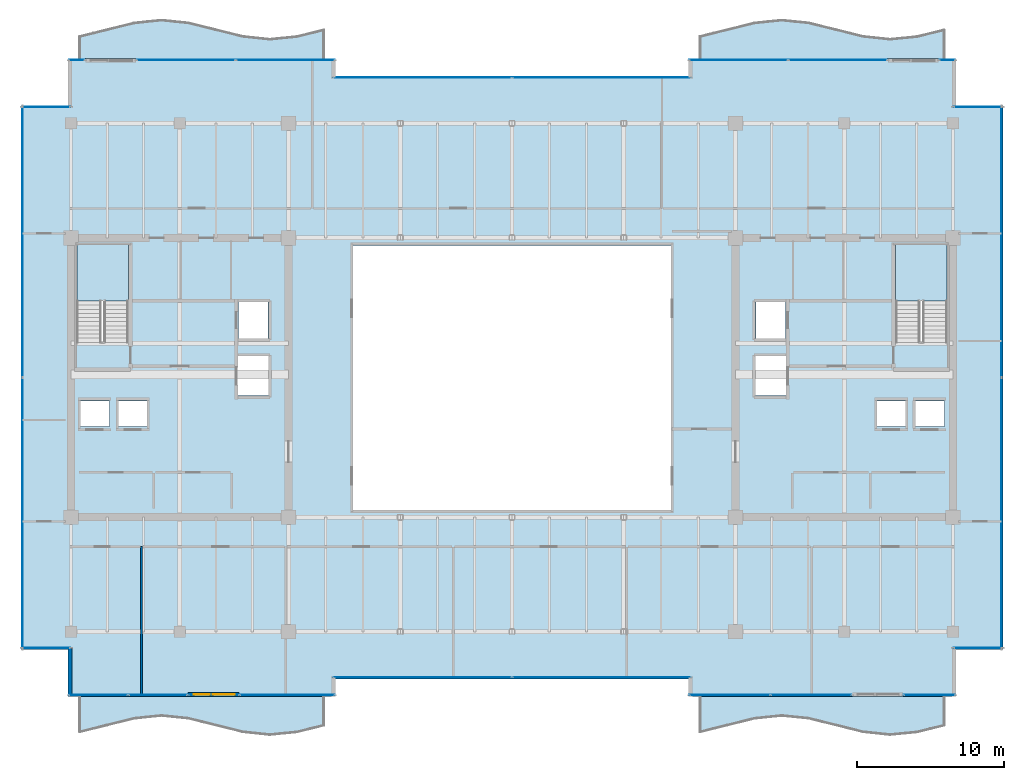
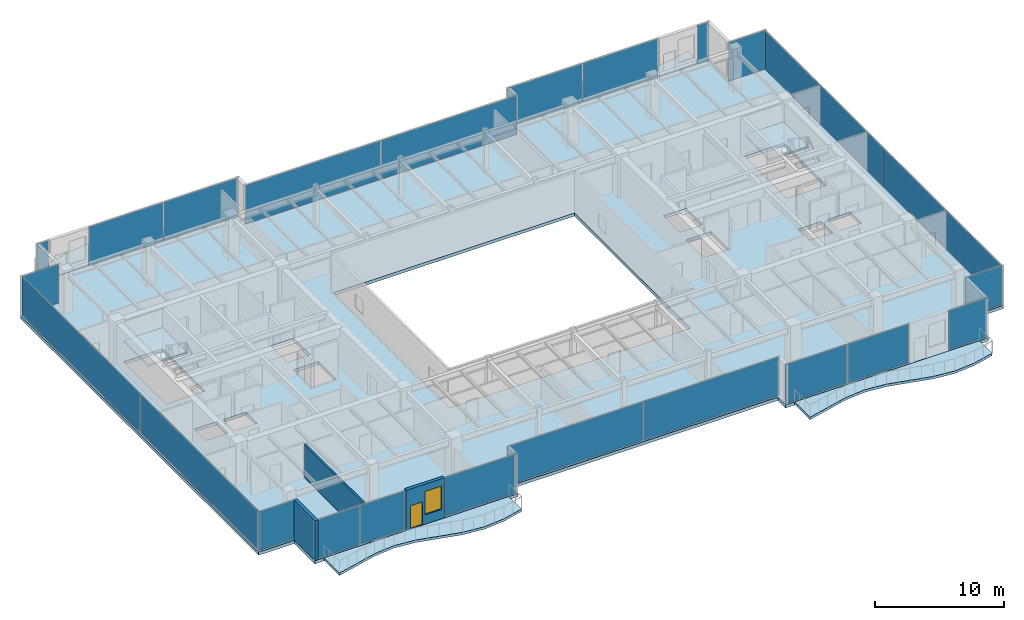
# One storey, part 27 of 34: 24 plates, 7 slabs, 3 walls, 1 door, 1 window, 2 openings, 18 elements without a shape of their own.
"""IFC4 building model written with IfcOpenShell, lengths in metres."""

from ifc_helpers import new_model, si_unit, direction, frame, frame_2d, origin, origin_2d, place, context, subcontext, project, spatial, polyline, rectangle, outline, extrude, source, transform, mapped, material, layer, layer_set, type_object, type_shapes, element, fill, aggregate, save


model = new_model("IFC4")

# Units and contexts
model_context = context("Model", 3, precision=1e-05, world=origin(), true_north=direction((0.0, 1.0)))
body_context = subcontext(model_context, "Body", "Model", "MODEL_VIEW")
ifc_project = project(units=[si_unit("LENGTHUNIT", "METRE"), si_unit("AREAUNIT", "SQUARE_METRE"), si_unit("VOLUMEUNIT", "CUBIC_METRE"), si_unit("PLANEANGLEUNIT", "RADIAN"), si_unit("MASSUNIT", "GRAM", prefix="KILO")], contexts=[model_context])

# Site, building, storey
site_placement = place(None, origin())
site = spatial("IfcSite", under=ifc_project, at=site_placement, CompositionType="ELEMENT")
building_placement = place(site_placement, origin())
building = spatial("IfcBuilding", under=site, at=building_placement, Name="Haelvirn Gate Laboratories", CompositionType="ELEMENT")
storey_placement = place(building_placement, frame((0.0, 0.0, 205.5)))
storey = spatial("IfcBuildingStorey", under=building, at=storey_placement, Name="L49", CompositionType="ELEMENT", Elevation=205.5)

# Stair, slab
ifc_material_1 = material(Name="Concrete C40/50", Category="concrete")
stair_type = type_object("IfcStairType", Name="ST-DOG-1650-R22", PredefinedType="HALF_TURN_STAIR", material=ifc_material_1)
stair_1_placement = place(storey_placement, origin())
stair_1 = element("IfcStair", 1, at=stair_1_placement, inside=storey, type_object=stair_type, Name="L49 Escape Stair ST1", PredefinedType="HALF_TURN_STAIR")
ifc_layer_1 = layer(ifc_material_1, 0.199951171875, Name="SL-STAIR-LND")
ifc_layer_set_1 = layer_set([ifc_layer_1], Name="Concrete C40/50")
slab_type_1 = type_object("IfcSlabType", Name="SL-STAIR-LND", PredefinedType="LANDING", material=ifc_layer_set_1)
slab_1_placement = place(storey_placement, frame((0.0, 0.0, 1.85009765625)))
slab_1 = element("IfcSlab", 2, at=slab_1_placement, type_object=slab_type_1, Name="ST1 landing 1", PredefinedType="LANDING", context=body_context, shape_type="SweptSolid", body=[
    extrude(outline(polyline([(11.300048828125, 29.5), (11.300048828125, 33.35009765625), (7.800048828125, 33.35009765625), (7.800048828125, 29.5), (11.300048828125, 29.5)])), origin(), (0.0, 0.0, 1.0), 0.199951171875),
])
aggregate(stair_1, [slab_1])

stair_2_placement = place(storey_placement, origin())
stair_2 = element("IfcStair", 3, at=stair_2_placement, inside=storey, type_object=stair_type, Name="L49 Escape Stair ST2", PredefinedType="HALF_TURN_STAIR")
slab_2_placement = place(storey_placement, frame((0.0, 0.0, 1.85009765625)))
slab_2 = element("IfcSlab", 4, at=slab_2_placement, type_object=slab_type_1, Name="ST2 landing 1", PredefinedType="LANDING", context=body_context, shape_type="SweptSolid", body=[
    extrude(outline(polyline([(67.0, 29.5), (67.0, 33.35009765625), (63.5, 33.35009765625), (63.5, 29.5), (67.0, 29.5)])), origin(), (0.0, 0.0, 1.0), 0.199951171875),
])
aggregate(stair_2, [slab_2])

# Slabs
ifc_layer_2 = layer(ifc_material_1, 0.235107421875, Name="SL-WB-P4")
ifc_layer_set_2 = layer_set([ifc_layer_2], Name="Concrete C40/50")
slab_type_2 = type_object("IfcSlabType", Name="SL-WB-P4", PredefinedType="FLOOR", material=ifc_layer_set_2)
slab_3_placement = place(storey_placement, frame((0.0, 0.0, -0.235107421875)))
element("IfcSlab", 5, at=slab_3_placement, inside=storey, type_object=slab_type_2, Name="L49 Soft-Wave Balcony WL-S", PredefinedType="FLOOR", context=body_context, shape_type="SweptSolid", body=[
    extrude(outline(polyline([(8.0, 0.1904296875), (9.844482421875, 0.6484375), (11.68896484375, 1.107421875), (13.533203125, 1.300048828125), (15.377685546875, 1.114013671875), (17.22216796875, 0.65771484375), (19.066650390625, 0.197021484375), (20.9111328125, 0.0), (22.755615234375, 0.181884765625), (24.60009765625, 0.63623046875), (24.60009765625, 2.60009765625), (22.755615234375, 2.60009765625), (20.9111328125, 2.60009765625), (19.066650390625, 2.60009765625), (17.22216796875, 2.60009765625), (15.377685546875, 2.60009765625), (13.533203125, 2.60009765625), (11.68896484375, 2.60009765625), (9.844482421875, 2.60009765625), (8.0, 2.60009765625), (8.0, 0.1904296875)])), origin(), (0.0, 0.0, 1.0), 0.235107421875),
])
slab_4_placement = place(storey_placement, frame((0.0, 0.0, -0.235107421875)))
element("IfcSlab", 6, at=slab_4_placement, inside=storey, type_object=slab_type_2, Name="L49 Soft-Wave Balcony WL-N", PredefinedType="FLOOR", context=body_context, shape_type="SweptSolid", body=[
    extrude(outline(polyline([(8.0, 46.0), (9.844482421875, 46.0), (11.68896484375, 46.0), (13.533203125, 46.0), (15.377685546875, 46.0), (17.22216796875, 46.0), (19.066650390625, 46.0), (20.9111328125, 46.0), (22.755615234375, 46.0), (24.60009765625, 46.0), (24.60009765625, 47.936279296875), (22.755615234375, 47.481689453125), (20.9111328125, 47.300048828125), (19.066650390625, 47.496826171875), (17.22216796875, 47.957763671875), (15.377685546875, 48.413818359375), (13.533203125, 48.60009765625), (11.68896484375, 48.407470703125), (9.844482421875, 47.948486328125), (8.0, 47.490478515625), (8.0, 46.0)])), origin(), (0.0, 0.0, 1.0), 0.235107421875),
])
slab_5_placement = place(storey_placement, frame((0.0, 0.0, -0.235107421875)))
element("IfcSlab", 7, at=slab_5_placement, inside=storey, type_object=slab_type_2, Name="L49 Soft-Wave Balcony EL-S", PredefinedType="FLOOR", context=body_context, shape_type="SweptSolid", body=[
    extrude(outline(polyline([(50.199951171875, 0.1904296875), (52.04443359375, 0.6484375), (53.888916015625, 1.107421875), (55.7333984375, 1.300048828125), (57.577880859375, 1.114013671875), (59.422119140625, 0.65771484375), (61.2666015625, 0.197021484375), (63.111083984375, 0.0), (64.95556640625, 0.181884765625), (66.800048828125, 0.63623046875), (66.800048828125, 2.60009765625), (64.95556640625, 2.60009765625), (63.111083984375, 2.60009765625), (61.2666015625, 2.60009765625), (59.422119140625, 2.60009765625), (57.577880859375, 2.60009765625), (55.7333984375, 2.60009765625), (53.888916015625, 2.60009765625), (52.04443359375, 2.60009765625), (50.199951171875, 2.60009765625), (50.199951171875, 0.1904296875)])), origin(), (0.0, 0.0, 1.0), 0.235107421875),
])
slab_6_placement = place(storey_placement, frame((0.0, 0.0, -0.235107421875)))
element("IfcSlab", 8, at=slab_6_placement, inside=storey, type_object=slab_type_2, Name="L49 Soft-Wave Balcony EL-N", PredefinedType="FLOOR", context=body_context, shape_type="SweptSolid", body=[
    extrude(outline(polyline([(50.199951171875, 46.0), (52.04443359375, 46.0), (53.888916015625, 46.0), (55.7333984375, 46.0), (57.577880859375, 46.0), (59.422119140625, 46.0), (61.2666015625, 46.0), (63.111083984375, 46.0), (64.95556640625, 46.0), (66.800048828125, 46.0), (66.800048828125, 47.936279296875), (64.95556640625, 47.481689453125), (63.111083984375, 47.300048828125), (61.2666015625, 47.496826171875), (59.422119140625, 47.957763671875), (57.577880859375, 48.413818359375), (55.7333984375, 48.60009765625), (53.888916015625, 48.407470703125), (52.04443359375, 47.948486328125), (50.199951171875, 47.490478515625), (50.199951171875, 46.0)])), origin(), (0.0, 0.0, 1.0), 0.235107421875),
])
ifc_layer_3 = layer(ifc_material_1, 0.300048828125, Name="SL-Z3-300")
ifc_layer_set_3 = layer_set([ifc_layer_3], Name="Concrete C40/50")
slab_type_3 = type_object("IfcSlabType", Name="SL-Z3-300", PredefinedType="FLOOR", material=ifc_layer_set_3)
slab_7_placement = place(storey_placement, frame((0.0, 0.0, -0.300048828125)))
element("IfcSlab", 9, at=slab_7_placement, inside=storey, type_object=slab_type_3, Name="L49 Structural Slab MAIN", PredefinedType="FLOOR", context=body_context, shape_type="SweptSolid", body=[
    extrude(outline(polyline([(7.199951171875, 2.60009765625), (25.39990234375, 2.60009765625), (25.39990234375, 3.800048828125), (49.39990234375, 3.800048828125), (49.39990234375, 2.60009765625), (67.60009765625, 2.60009765625), (67.60009765625, 5.800048828125), (70.800048828125, 5.800048828125), (70.800048828125, 42.800048828125), (67.60009765625, 42.800048828125), (67.60009765625, 46.0), (49.39990234375, 46.0), (49.39990234375, 44.800048828125), (25.39990234375, 44.800048828125), (25.39990234375, 46.0), (7.199951171875, 46.0), (7.199951171875, 42.800048828125), (4.0, 42.800048828125), (4.0, 5.800048828125), (7.199951171875, 5.800048828125), (7.199951171875, 2.60009765625)]), holes=[polyline([(26.60009765625, 15.300048828125), (48.199951171875, 15.300048828125), (48.199951171875, 33.300048828125), (26.60009765625, 33.300048828125), (26.60009765625, 15.300048828125)]), polyline([(11.300048828125, 26.780029296875), (11.300048828125, 33.35009765625), (7.800048828125, 33.35009765625), (7.800048828125, 26.780029296875), (11.300048828125, 26.780029296875)]), polyline([(67.0, 26.780029296875), (67.0, 33.35009765625), (63.5, 33.35009765625), (63.5, 26.780029296875), (67.0, 26.780029296875)]), polyline([(7.989990234375, 20.969970703125), (10.010009765625, 20.969970703125), (10.010009765625, 22.7099609375), (7.989990234375, 22.7099609375), (7.989990234375, 20.969970703125)]), polyline([(10.590087890625, 20.969970703125), (12.610107421875, 20.969970703125), (12.610107421875, 22.7099609375), (10.590087890625, 22.7099609375), (10.590087890625, 20.969970703125)]), polyline([(18.7900390625, 26.969970703125), (20.81005859375, 26.969970703125), (20.81005859375, 29.510009765625), (18.7900390625, 29.510009765625), (18.7900390625, 26.969970703125)]), polyline([(18.68994140625, 23.070068359375), (20.909912109375, 23.070068359375), (20.909912109375, 25.81005859375), (18.68994140625, 25.81005859375), (18.68994140625, 23.070068359375)]), polyline([(64.7900390625, 20.969970703125), (66.81005859375, 20.969970703125), (66.81005859375, 22.7099609375), (64.7900390625, 22.7099609375), (64.7900390625, 20.969970703125)]), polyline([(62.18994140625, 20.969970703125), (64.2099609375, 20.969970703125), (64.2099609375, 22.7099609375), (62.18994140625, 22.7099609375), (62.18994140625, 20.969970703125)]), polyline([(53.989990234375, 26.969970703125), (56.010009765625, 26.969970703125), (56.010009765625, 29.510009765625), (53.989990234375, 29.510009765625), (53.989990234375, 26.969970703125)]), polyline([(53.889892578125, 23.070068359375), (56.110107421875, 23.070068359375), (56.110107421875, 25.81005859375), (53.889892578125, 25.81005859375), (53.889892578125, 23.070068359375)])]), origin(), (0.0, 0.0, 1.0), 0.300048828125),
])

# Curtain wall, plates
ifc_material_2 = material(Name="Anodised bronze unitised aluminium & triple low-E glass", Category="aluminium")
ifc_layer_4 = layer(ifc_material_2, 0.176025390625, Name="CW-SYS-4")
ifc_layer_set_4 = layer_set([ifc_layer_4], Name="Anodised bronze unitised aluminium & triple low-E glass")
curtain_wall_type_1 = type_object("IfcCurtainWallType", Name="CW-SYS-4", PredefinedType="NOTDEFINED", material=ifc_layer_set_4)
curtain_wall_1_placement = place(storey_placement, origin())
curtain_wall_1 = element("IfcCurtainWall", 10, at=curtain_wall_1_placement, inside=storey, type_object=curtain_wall_type_1, Name="L49 Unitised Curtain Wall CW-L49-P0-E02-1", PredefinedType="NOTDEFINED")
ifc_material_3 = material(Name="Acoustic laminated bronze triple IGU 36 mm", Category="glass")
ifc_layer_5 = layer(ifc_material_3, 0.035888671875, Name="CWP-IGU-36")
ifc_layer_set_5 = layer_set([ifc_layer_5], Name="Acoustic laminated bronze triple IGU 36 mm")
plate_type_1 = type_object("IfcPlateType", Name="CWP-IGU-36", PredefinedType="CURTAIN_PANEL", material=ifc_layer_set_5)
shared_shape_1 = source(origin(), body_context, "Body", "SweptSolid", [
    extrude(rectangle(XDim=12.135009765625, YDim=0.035888671875, at=origin_2d()), origin(), (0.0, 0.0, 1.0), 3.669921875),
])
plate_1_placement = place(storey_placement, frame((31.297607421875, 3.89990234375, 0.06494140625), z_axis=(0.0, 0.0, 1.0), x_axis=(1.0, 0.0, 0.0)))
plate_1 = element("IfcPlate", 11, at=plate_1_placement, type_object=plate_type_1, Name="CW4 panel 1.1", PredefinedType="CURTAIN_PANEL", context=body_context, shape_type="MappedRepresentation", body=[
    mapped(shared_shape_1, transform((0.0, 0.0, 0.0), scale=1.0)),
])
plate_2_placement = place(storey_placement, frame((43.50244140625, 3.89990234375, 0.06494140625), z_axis=(0.0, 0.0, 1.0), x_axis=(1.0, 0.0, 0.0)))
plate_2 = element("IfcPlate", 12, at=plate_2_placement, type_object=plate_type_1, Name="CW4 panel 2.1", PredefinedType="CURTAIN_PANEL", context=body_context, shape_type="MappedRepresentation", body=[
    mapped(shared_shape_1, transform((0.0, 0.0, 0.0), scale=1.0)),
])
aggregate(curtain_wall_1, [plate_1, plate_2])

curtain_wall_2_placement = place(storey_placement, origin())
curtain_wall_2 = element("IfcCurtainWall", 13, at=curtain_wall_2_placement, inside=storey, type_object=curtain_wall_type_1, Name="L49 Unitised Curtain Wall CW-L49-P0-E12-1", PredefinedType="NOTDEFINED")
plate_3_placement = place(storey_placement, frame((31.297607421875, 44.699951171875, 0.06494140625), z_axis=(0.0, 0.0, 1.0), x_axis=(1.0, 0.0, 0.0)))
plate_3 = element("IfcPlate", 14, at=plate_3_placement, type_object=plate_type_1, Name="CW4 panel 1.1", PredefinedType="CURTAIN_PANEL", context=body_context, shape_type="MappedRepresentation", body=[
    mapped(shared_shape_1, transform((0.0, 0.0, 0.0), scale=1.0)),
])
plate_4_placement = place(storey_placement, frame((43.50244140625, 44.699951171875, 0.06494140625), z_axis=(0.0, 0.0, 1.0), x_axis=(1.0, 0.0, 0.0)))
plate_4 = element("IfcPlate", 15, at=plate_4_placement, type_object=plate_type_1, Name="CW4 panel 2.1", PredefinedType="CURTAIN_PANEL", context=body_context, shape_type="MappedRepresentation", body=[
    mapped(shared_shape_1, transform((0.0, 0.0, 0.0), scale=1.0)),
])
aggregate(curtain_wall_2, [plate_3, plate_4])

# Curtain wall, plate
ifc_layer_6 = layer(ifc_material_2, 0.181884765625, Name="CW-SYS-5")
ifc_layer_set_6 = layer_set([ifc_layer_6], Name="Anodised bronze unitised aluminium & triple low-E glass")
curtain_wall_type_2 = type_object("IfcCurtainWallType", Name="CW-SYS-5", PredefinedType="NOTDEFINED", material=ifc_layer_set_6)
curtain_wall_3_placement = place(storey_placement, origin())
curtain_wall_3 = element("IfcCurtainWall", 16, at=curtain_wall_3_placement, inside=storey, type_object=curtain_wall_type_2, Name="L49 Unitised Curtain Wall CW-L49-P0-E06-1", PredefinedType="NOTDEFINED")
ifc_material_4 = material(Name="Clear low-iron notched-corner triple IGU 42 mm", Category="glass")
ifc_layer_7 = layer(ifc_material_4, 0.0419921875, Name="CWP-NTC-42")
ifc_layer_set_7 = layer_set([ifc_layer_7], Name="Clear low-iron notched-corner triple IGU 42 mm")
plate_type_2 = type_object("IfcPlateType", Name="CWP-NTC-42", PredefinedType="CURTAIN_PANEL", material=ifc_layer_set_7)
shared_shape_2 = source(origin(), body_context, "Body", "SweptSolid", [
    extrude(rectangle(XDim=3.280029296875, YDim=0.0419921875, at=origin_2d()), origin(), (0.0, 0.0, 1.0), 3.669921875),
])
type_shapes(plate_type_2, [shared_shape_2])
plate_5_placement = place(storey_placement, frame((69.080078125, 5.89990234375, 0.06494140625), z_axis=(0.0, 0.0, 1.0), x_axis=(1.0, 0.0, 0.0)))
plate_5 = element("IfcPlate", 17, at=plate_5_placement, type_object=plate_type_2, Name="CW5 panel 1.1", PredefinedType="CURTAIN_PANEL", context=body_context, shape_type="MappedRepresentation", body=[
    mapped(shared_shape_2, transform((0.0, 0.0, 0.0), scale=1.0)),
])
aggregate(curtain_wall_3, [plate_5])

curtain_wall_4_placement = place(storey_placement, origin())
curtain_wall_4 = element("IfcCurtainWall", 18, at=curtain_wall_4_placement, inside=storey, type_object=curtain_wall_type_2, Name="L49 Unitised Curtain Wall CW-L49-P0-E08-1", PredefinedType="NOTDEFINED")
plate_6_placement = place(storey_placement, frame((69.080078125, 42.699951171875, 0.06494140625), z_axis=(0.0, 0.0, 1.0), x_axis=(1.0, 0.0, 0.0)))
plate_6 = element("IfcPlate", 19, at=plate_6_placement, type_object=plate_type_2, Name="CW5 panel 1.1", PredefinedType="CURTAIN_PANEL", context=body_context, shape_type="MappedRepresentation", body=[
    mapped(shared_shape_2, transform((0.0, 0.0, 0.0), scale=1.0)),
])
aggregate(curtain_wall_4, [plate_6])

curtain_wall_5_placement = place(storey_placement, origin())
curtain_wall_5 = element("IfcCurtainWall", 20, at=curtain_wall_5_placement, inside=storey, type_object=curtain_wall_type_2, Name="L49 Unitised Curtain Wall CW-L49-P0-E16-1", PredefinedType="NOTDEFINED")
plate_7_placement = place(storey_placement, frame((5.719970703125, 42.699951171875, 0.06494140625), z_axis=(0.0, 0.0, 1.0), x_axis=(1.0, 0.0, 0.0)))
plate_7 = element("IfcPlate", 21, at=plate_7_placement, type_object=plate_type_2, Name="CW5 panel 1.1", PredefinedType="CURTAIN_PANEL", context=body_context, shape_type="MappedRepresentation", body=[
    mapped(shared_shape_2, transform((0.0, 0.0, 0.0), scale=1.0)),
])
aggregate(curtain_wall_5, [plate_7])

curtain_wall_6_placement = place(storey_placement, origin())
curtain_wall_6 = element("IfcCurtainWall", 22, at=curtain_wall_6_placement, inside=storey, type_object=curtain_wall_type_2, Name="L49 Unitised Curtain Wall CW-L49-P0-E18-1", PredefinedType="NOTDEFINED")
plate_8_placement = place(storey_placement, frame((5.719970703125, 5.89990234375, 0.06494140625), z_axis=(0.0, 0.0, 1.0), x_axis=(1.0, 0.0, 0.0)))
plate_8 = element("IfcPlate", 23, at=plate_8_placement, type_object=plate_type_2, Name="CW5 panel 1.1", PredefinedType="CURTAIN_PANEL", context=body_context, shape_type="MappedRepresentation", body=[
    mapped(shared_shape_2, transform((0.0, 0.0, 0.0), scale=1.0)),
])
aggregate(curtain_wall_6, [plate_8])

# Curtain wall, plates
curtain_wall_7_placement = place(storey_placement, origin())
curtain_wall_7 = element("IfcCurtainWall", 24, at=curtain_wall_7_placement, inside=storey, type_object=curtain_wall_type_1, Name="L49 Unitised Curtain Wall CW-L49-P0-E07", PredefinedType="NOTDEFINED")
shared_shape_3 = source(origin(), body_context, "Body", "SweptSolid", [
    extrude(rectangle(XDim=18.39501953125, YDim=0.035888671875, at=origin_2d()), origin(), (0.0, 0.0, 1.0), 3.669921875),
])
plate_9_placement = place(storey_placement, frame((70.699951171875, 15.0673828125, 0.06494140625), z_axis=(0.0, 0.0, 1.0), x_axis=(0.0, 1.0, 0.0)))
plate_9 = element("IfcPlate", 25, at=plate_9_placement, type_object=plate_type_1, Name="CW4 panel 1.1", PredefinedType="CURTAIN_PANEL", context=body_context, shape_type="MappedRepresentation", body=[
    mapped(shared_shape_3, transform((0.0, 0.0, 0.0), scale=1.0)),
])
plate_10_placement = place(storey_placement, frame((70.699951171875, 33.532470703125, 0.06494140625), z_axis=(0.0, 0.0, 1.0), x_axis=(0.0, 1.0, 0.0)))
plate_10 = element("IfcPlate", 26, at=plate_10_placement, type_object=plate_type_1, Name="CW4 panel 2.1", PredefinedType="CURTAIN_PANEL", context=body_context, shape_type="MappedRepresentation", body=[
    mapped(shared_shape_3, transform((0.0, 0.0, 0.0), scale=1.0)),
])
aggregate(curtain_wall_7, [plate_9, plate_10])

curtain_wall_8_placement = place(storey_placement, origin())
curtain_wall_8 = element("IfcCurtainWall", 27, at=curtain_wall_8_placement, inside=storey, type_object=curtain_wall_type_1, Name="L49 Unitised Curtain Wall CW-L49-P0-E17", PredefinedType="NOTDEFINED")
plate_11_placement = place(storey_placement, frame((4.10009765625, 33.532470703125, 0.06494140625), z_axis=(0.0, 0.0, 1.0), x_axis=(0.0, -1.0, 0.0)))
plate_11 = element("IfcPlate", 28, at=plate_11_placement, type_object=plate_type_1, Name="CW4 panel 1.1", PredefinedType="CURTAIN_PANEL", context=body_context, shape_type="MappedRepresentation", body=[
    mapped(shared_shape_3, transform((0.0, 0.0, 0.0), scale=1.0)),
])
plate_12_placement = place(storey_placement, frame((4.10009765625, 15.0673828125, 0.06494140625), z_axis=(0.0, 0.0, 1.0), x_axis=(0.0, -1.0, 0.0)))
plate_12 = element("IfcPlate", 29, at=plate_12_placement, type_object=plate_type_1, Name="CW4 panel 2.1", PredefinedType="CURTAIN_PANEL", context=body_context, shape_type="MappedRepresentation", body=[
    mapped(shared_shape_3, transform((0.0, 0.0, 0.0), scale=1.0)),
])
aggregate(curtain_wall_8, [plate_11, plate_12])

curtain_wall_9_placement = place(storey_placement, origin())
curtain_wall_9 = element("IfcCurtainWall", 30, at=curtain_wall_9_placement, inside=storey, type_object=curtain_wall_type_1, Name="L49 Unitised Curtain Wall CW-L49-P0-E00-1", PredefinedType="NOTDEFINED")
shared_shape_4 = source(origin(), body_context, "Body", "SweptSolid", [
    extrude(rectangle(XDim=3.985107421875, YDim=0.035888671875, at=origin_2d()), origin(), (0.0, 0.0, 1.0), 3.669921875),
])
plate_13_placement = place(storey_placement, frame((9.262451171875, 2.699951171875, 0.06494140625), z_axis=(0.0, 0.0, 1.0), x_axis=(1.0, 0.0, 0.0)))
plate_13 = element("IfcPlate", 31, at=plate_13_placement, type_object=plate_type_1, Name="CW4 panel 1.1", PredefinedType="CURTAIN_PANEL", context=body_context, shape_type="MappedRepresentation", body=[
    mapped(shared_shape_4, transform((0.0, 0.0, 0.0), scale=1.0)),
])
plate_14_placement = place(storey_placement, frame((13.3173828125, 2.699951171875, 0.06494140625), z_axis=(0.0, 0.0, 1.0), x_axis=(1.0, 0.0, 0.0)))
plate_14 = element("IfcPlate", 32, at=plate_14_placement, type_object=plate_type_1, Name="CW4 panel 2.1", PredefinedType="CURTAIN_PANEL", context=body_context, shape_type="MappedRepresentation", body=[
    mapped(shared_shape_4, transform((0.0, 0.0, 0.0), scale=1.0)),
])
aggregate(curtain_wall_9, [plate_13, plate_14])

# Curtain wall, plate
curtain_wall_10_placement = place(storey_placement, origin())
curtain_wall_10 = element("IfcCurtainWall", 33, at=curtain_wall_10_placement, inside=storey, type_object=curtain_wall_type_1, Name="L49 Unitised Curtain Wall CW-L49-P0-E00-2", PredefinedType="NOTDEFINED")
shared_shape_5 = source(origin(), body_context, "Body", "SweptSolid", [
    extrude(rectangle(XDim=6.43994140625, YDim=0.035888671875, at=origin_2d()), origin(), (0.0, 0.0, 1.0), 3.669921875),
])
plate_15_placement = place(storey_placement, frame((22.110107421875, 2.699951171875, 0.06494140625), z_axis=(0.0, 0.0, 1.0), x_axis=(1.0, 0.0, 0.0)))
plate_15 = element("IfcPlate", 34, at=plate_15_placement, type_object=plate_type_1, Name="CW4 panel 1.1", PredefinedType="CURTAIN_PANEL", context=body_context, shape_type="MappedRepresentation", body=[
    mapped(shared_shape_5, transform((0.0, 0.0, 0.0), scale=1.0)),
])
aggregate(curtain_wall_10, [plate_15])

# Curtain wall, plates
curtain_wall_11_placement = place(storey_placement, origin())
curtain_wall_11 = element("IfcCurtainWall", 35, at=curtain_wall_11_placement, inside=storey, type_object=curtain_wall_type_1, Name="L49 Unitised Curtain Wall CW-L49-P0-E04-1", PredefinedType="NOTDEFINED")
shared_shape_6 = source(origin(), body_context, "Body", "SweptSolid", [
    extrude(rectangle(XDim=5.472412109375, YDim=0.035888671875, at=origin_2d()), origin(), (0.0, 0.0, 1.0), 3.669921875),
])
plate_16_placement = place(storey_placement, frame((52.206298828125, 2.699951171875, 0.06494140625), z_axis=(0.0, 0.0, 1.0), x_axis=(1.0, 0.0, 0.0)))
plate_16 = element("IfcPlate", 36, at=plate_16_placement, type_object=plate_type_1, Name="CW4 panel 1.1", PredefinedType="CURTAIN_PANEL", context=body_context, shape_type="MappedRepresentation", body=[
    mapped(shared_shape_6, transform((0.0, 0.0, 0.0), scale=1.0)),
])
plate_17_placement = place(storey_placement, frame((57.748779296875, 2.699951171875, 0.06494140625), z_axis=(0.0, 0.0, 1.0), x_axis=(1.0, 0.0, 0.0)))
plate_17 = element("IfcPlate", 37, at=plate_17_placement, type_object=plate_type_1, Name="CW4 panel 2.1", PredefinedType="CURTAIN_PANEL", context=body_context, shape_type="MappedRepresentation", body=[
    mapped(shared_shape_6, transform((0.0, 0.0, 0.0), scale=1.0)),
])
aggregate(curtain_wall_11, [plate_16, plate_17])

# Curtain wall, plate
curtain_wall_12_placement = place(storey_placement, origin())
curtain_wall_12 = element("IfcCurtainWall", 38, at=curtain_wall_12_placement, inside=storey, type_object=curtain_wall_type_1, Name="L49 Unitised Curtain Wall CW-L49-P0-E04-2", PredefinedType="NOTDEFINED")
shared_shape_7 = source(origin(), body_context, "Body", "SweptSolid", [
    extrude(rectangle(XDim=3.465087890625, YDim=0.035888671875, at=origin_2d()), origin(), (0.0, 0.0, 1.0), 3.669921875),
])
plate_18_placement = place(storey_placement, frame((65.797607421875, 2.699951171875, 0.06494140625), z_axis=(0.0, 0.0, 1.0), x_axis=(1.0, 0.0, 0.0)))
plate_18 = element("IfcPlate", 39, at=plate_18_placement, type_object=plate_type_1, Name="CW4 panel 1.1", PredefinedType="CURTAIN_PANEL", context=body_context, shape_type="MappedRepresentation", body=[
    mapped(shared_shape_7, transform((0.0, 0.0, 0.0), scale=1.0)),
])
aggregate(curtain_wall_12, [plate_18])

# Curtain wall, plates
curtain_wall_13_placement = place(storey_placement, origin())
curtain_wall_13 = element("IfcCurtainWall", 40, at=curtain_wall_13_placement, inside=storey, type_object=curtain_wall_type_1, Name="L49 Unitised Curtain Wall CW-L49-P0-E10-1", PredefinedType="NOTDEFINED")
shared_shape_8 = source(origin(), body_context, "Body", "SweptSolid", [
    extrude(rectangle(XDim=6.68505859375, YDim=0.035888671875, at=origin_2d()), origin(), (0.0, 0.0, 1.0), 3.669921875),
])
plate_19_placement = place(storey_placement, frame((52.8125, 45.89990234375, 0.06494140625), z_axis=(0.0, 0.0, 1.0), x_axis=(1.0, 0.0, 0.0)))
plate_19 = element("IfcPlate", 41, at=plate_19_placement, type_object=plate_type_1, Name="CW4 panel 1.1", PredefinedType="CURTAIN_PANEL", context=body_context, shape_type="MappedRepresentation", body=[
    mapped(shared_shape_8, transform((0.0, 0.0, 0.0), scale=1.0)),
])
plate_20_placement = place(storey_placement, frame((59.5673828125, 45.89990234375, 0.06494140625), z_axis=(0.0, 0.0, 1.0), x_axis=(1.0, 0.0, 0.0)))
plate_20 = element("IfcPlate", 42, at=plate_20_placement, type_object=plate_type_1, Name="CW4 panel 2.1", PredefinedType="CURTAIN_PANEL", context=body_context, shape_type="MappedRepresentation", body=[
    mapped(shared_shape_8, transform((0.0, 0.0, 0.0), scale=1.0)),
])
aggregate(curtain_wall_13, [plate_19, plate_20])

curtain_wall_14_placement = place(storey_placement, origin())
curtain_wall_14 = element("IfcCurtainWall", 43, at=curtain_wall_14_placement, inside=storey, type_object=curtain_wall_type_1, Name="L49 Unitised Curtain Wall CW-L49-P0-E14-2", PredefinedType="NOTDEFINED")
plate_21_placement = place(storey_placement, frame((15.232421875, 45.89990234375, 0.06494140625), z_axis=(0.0, 0.0, 1.0), x_axis=(1.0, 0.0, 0.0)))
plate_21 = element("IfcPlate", 44, at=plate_21_placement, type_object=plate_type_1, Name="CW4 panel 1.1", PredefinedType="CURTAIN_PANEL", context=body_context, shape_type="MappedRepresentation", body=[
    mapped(shared_shape_8, transform((0.0, 0.0, 0.0), scale=1.0)),
])
plate_22_placement = place(storey_placement, frame((21.987548828125, 45.89990234375, 0.06494140625), z_axis=(0.0, 0.0, 1.0), x_axis=(1.0, 0.0, 0.0)))
plate_22 = element("IfcPlate", 45, at=plate_22_placement, type_object=plate_type_1, Name="CW4 panel 2.1", PredefinedType="CURTAIN_PANEL", context=body_context, shape_type="MappedRepresentation", body=[
    mapped(shared_shape_8, transform((0.0, 0.0, 0.0), scale=1.0)),
])
aggregate(curtain_wall_14, [plate_21, plate_22])

# Curtain wall, plate
curtain_wall_15_placement = place(storey_placement, origin())
curtain_wall_15 = element("IfcCurtainWall", 46, at=curtain_wall_15_placement, inside=storey, type_object=curtain_wall_type_1, Name="L49 Unitised Curtain Wall CW-L49-P0-E10-2", PredefinedType="NOTDEFINED")
shared_shape_9 = source(origin(), body_context, "Body", "SweptSolid", [
    extrude(rectangle(XDim=1.0400390625, YDim=0.035888671875, at=origin_2d()), origin(), (0.0, 0.0, 1.0), 3.669921875),
])
type_shapes(plate_type_1, [shared_shape_1, shared_shape_3, shared_shape_4, shared_shape_5, shared_shape_6, shared_shape_7, shared_shape_8, shared_shape_9])
plate_23_placement = place(storey_placement, frame((67.010009765625, 45.89990234375, 0.06494140625), z_axis=(0.0, 0.0, 1.0), x_axis=(1.0, 0.0, 0.0)))
plate_23 = element("IfcPlate", 47, at=plate_23_placement, type_object=plate_type_1, Name="CW4 panel 1.1", PredefinedType="CURTAIN_PANEL", context=body_context, shape_type="MappedRepresentation", body=[
    mapped(shared_shape_9, transform((0.0, 0.0, 0.0), scale=1.0)),
])
aggregate(curtain_wall_15, [plate_23])

curtain_wall_16_placement = place(storey_placement, origin())
curtain_wall_16 = element("IfcCurtainWall", 48, at=curtain_wall_16_placement, inside=storey, type_object=curtain_wall_type_1, Name="L49 Unitised Curtain Wall CW-L49-P0-E14-1", PredefinedType="NOTDEFINED")
plate_24_placement = place(storey_placement, frame((7.7900390625, 45.89990234375, 0.06494140625), z_axis=(0.0, 0.0, 1.0), x_axis=(1.0, 0.0, 0.0)))
plate_24 = element("IfcPlate", 49, at=plate_24_placement, type_object=plate_type_1, Name="CW4 panel 1.1", PredefinedType="CURTAIN_PANEL", context=body_context, shape_type="MappedRepresentation", body=[
    mapped(shared_shape_9, transform((0.0, 0.0, 0.0), scale=1.0)),
])
aggregate(curtain_wall_16, [plate_24])

# Wall, openings, door, window
ifc_material_5 = material(Name="Thermally-broken bronze aluminium rainscreen & mineral wool", Category="aluminium")
ifc_layer_8 = layer(ifc_material_5, 0.280029296875, Name="EW-TERR-280")
ifc_layer_set_8 = layer_set([ifc_layer_8], Name="Thermally-broken bronze aluminium rainscreen & mineral wool")
wall_type_1 = type_object("IfcWallType", Name="EW-TERR-280", PredefinedType="STANDARD", material=ifc_layer_set_8)
wall_1_placement = place(storey_placement, frame((15.3720703125, 2.739990234375, 0.0), z_axis=(0.0, 0.0, 1.0), x_axis=(1.0, 0.0, 0.0)))
wall_1 = element("IfcWall", 50, at=wall_1_placement, inside=storey, type_object=wall_type_1, Name="L49 Terrace Access Wall WB-WL-S", PredefinedType="STANDARD", context=body_context, shape_type="SweptSolid", body=[
    extrude(rectangle(XDim=3.455810546875, YDim=0.280029296875, at=frame_2d((1.72802734375, 0.0))), origin(), (0.0, 0.0, 1.0), 3.800048828125),
])
opening_1_placement = place(wall_1_placement, frame((0.3779296875, 0.0, 0.0)))
opening_1 = element("IfcOpeningElement", 51, at=opening_1_placement, cuts=wall_1, Name="Opening TD1", PredefinedType="OPENING", context=body_context, shape_type="SweptSolid", body=[
    extrude(rectangle(XDim=1.10009765625, YDim=2.199951171875, at=frame_2d((0.550048828125, 1.10009765625))), frame((0.0, 0.14990234375, 0.0), z_axis=(0.0, -1.0, 0.0), x_axis=(1.0, 0.0, 0.0)), (0.0, 0.0, 1.0), 0.300048828125),
])
opening_2_placement = place(wall_1_placement, frame((1.677978515625, 0.0, 0.89990234375)))
opening_2 = element("IfcOpeningElement", 52, at=opening_2_placement, cuts=wall_1, Name="Opening W3", PredefinedType="OPENING", context=body_context, shape_type="SweptSolid", body=[
    extrude(rectangle(XDim=1.5, YDim=2.199951171875, at=frame_2d((0.75, 1.10009765625))), frame((0.0, 0.14990234375, 0.0), z_axis=(0.0, -1.0, 0.0), x_axis=(1.0, 0.0, 0.0)), (0.0, 0.0, 1.0), 0.300048828125),
])
ifc_material_6 = material(Name="Thermally-broken bronze aluminium glazed terrace door", Category="aluminium")
door_type = type_object("IfcDoorType", Name="DR-TERR-1100", OperationType="NOTDEFINED", PredefinedType="DOOR", material=ifc_material_6)
shared_shape_10 = source(origin(), body_context, "Body", "SweptSolid", [
    extrude(rectangle(XDim=1.10009765625, YDim=2.199951171875, at=frame_2d((0.550048828125, 1.10009765625))), frame((0.0, 0.02490234375, 0.0), z_axis=(0.0, -1.0, 0.0), x_axis=(1.0, 0.0, 0.0)), (0.0, 0.0, 1.0), 0.050048828125),
])
type_shapes(door_type, [shared_shape_10])
door_placement = place(opening_1_placement, origin())
door = element("IfcDoor", 53, at=door_placement, inside=storey, type_object=door_type, Name="L49 Terrace Access Door WB-WL-S", OperationType="SINGLE_SWING_LEFT", OverallHeight=2.199951171875, OverallWidth=1.10009765625, PredefinedType="DOOR", context=body_context, shape_type="MappedRepresentation", body=[
    mapped(shared_shape_10, transform((0.0, 0.0, 0.0), scale=1.0)),
])
fill(opening_1, door)
ifc_material_7 = material(Name="Bronze anodised aluminium & triple low-E glass", Category="aluminium")
window_type = type_object("IfcWindowType", Name="WIN-TERR-1600", PartitioningType="SINGLE_PANEL", PredefinedType="WINDOW", material=ifc_material_7)
shared_shape_11 = source(origin(), body_context, "Body", "SweptSolid", [
    extrude(rectangle(XDim=1.5, YDim=2.199951171875, at=frame_2d((0.75, 1.10009765625))), frame((0.0, 0.030029296875, 0.0), z_axis=(0.0, -1.0, 0.0), x_axis=(1.0, 0.0, 0.0)), (0.0, 0.0, 1.0), 0.06005859375),
])
type_shapes(window_type, [shared_shape_11])
window_placement = place(opening_2_placement, origin())
window = element("IfcWindow", 54, at=window_placement, inside=storey, type_object=window_type, Name="L49 Terrace Vision Window WB-WL-S", OverallHeight=2.199951171875, OverallWidth=1.5, PartitioningType="SINGLE_PANEL", PredefinedType="WINDOW", context=body_context, shape_type="MappedRepresentation", body=[
    mapped(shared_shape_11, transform((0.0, 0.0, 0.0), scale=1.0)),
])
fill(opening_2, window)

# Walls
wall_2_placement = place(storey_placement, frame((7.340087890625, 5.887939453125, 0.0), z_axis=(0.0, 0.0, 1.0), x_axis=(0.0, -1.0, 0.0)))
element("IfcWall", 55, at=wall_2_placement, inside=storey, type_object=wall_type_1, Name="L49 Atrium Recess Bronze Return Wall 19", PredefinedType="STANDARD", context=body_context, shape_type="SweptSolid", body=[
    extrude(rectangle(XDim=3.287841796875, YDim=0.280029296875, at=frame_2d((1.64404296875, 0.0))), origin(), (0.0, 0.0, 1.0), 3.800048828125),
])
ifc_material_8 = material(Name="Double-layer acoustic gypsum laboratory partition", Category="gypsum")
ifc_layer_9 = layer(ifc_material_8, 0.159912109375, Name="IW-ACOUST-160")
ifc_layer_set_9 = layer_set([ifc_layer_9], Name="Double-layer acoustic gypsum laboratory partition")
wall_type_2 = type_object("IfcWallType", Name="IW-ACOUST-160", PredefinedType="PARTITIONING", material=ifc_layer_set_9)
wall_3_placement = place(storey_placement, frame((12.199951171875, 2.7099609375, 0.0), z_axis=(0.0, 0.0, 1.0), x_axis=(0.0, 1.0, 0.0)))
element("IfcWall", 56, at=wall_3_placement, inside=storey, type_object=wall_type_2, Name="L49 Interior Wall IW-L49-SDIV-01", PredefinedType="PARTITIONING", context=body_context, shape_type="SweptSolid", body=[
    extrude(rectangle(XDim=10.080078125, YDim=0.159912109375, at=frame_2d((5.0400390625, 0.0))), origin(), (0.0, 0.0, 1.0), 3.135009765625),
])

save(model, "model.ifc")
